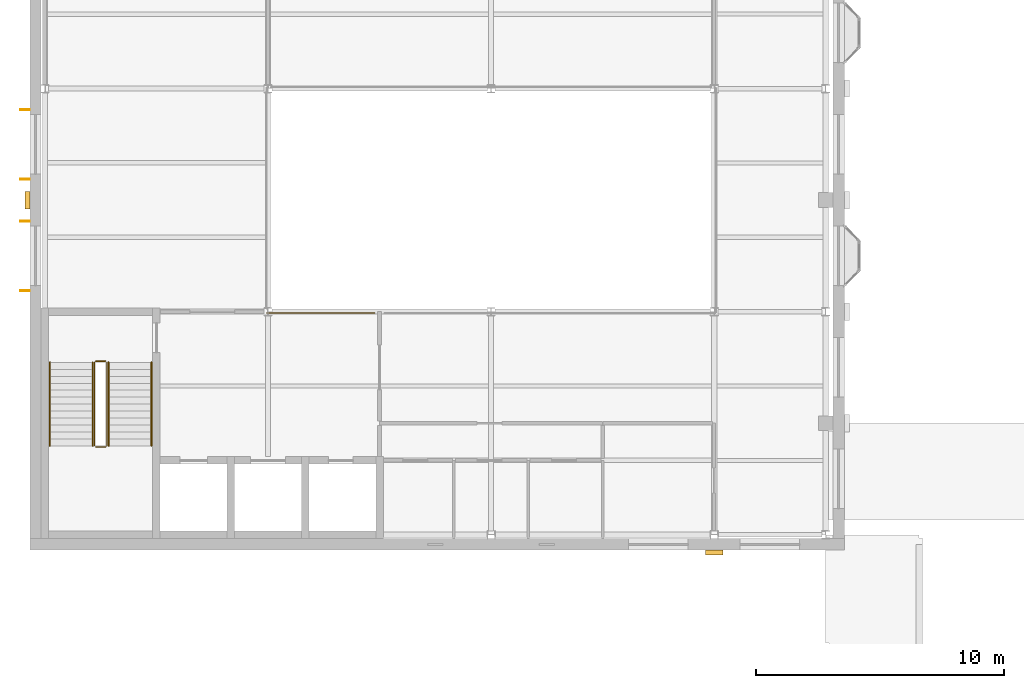
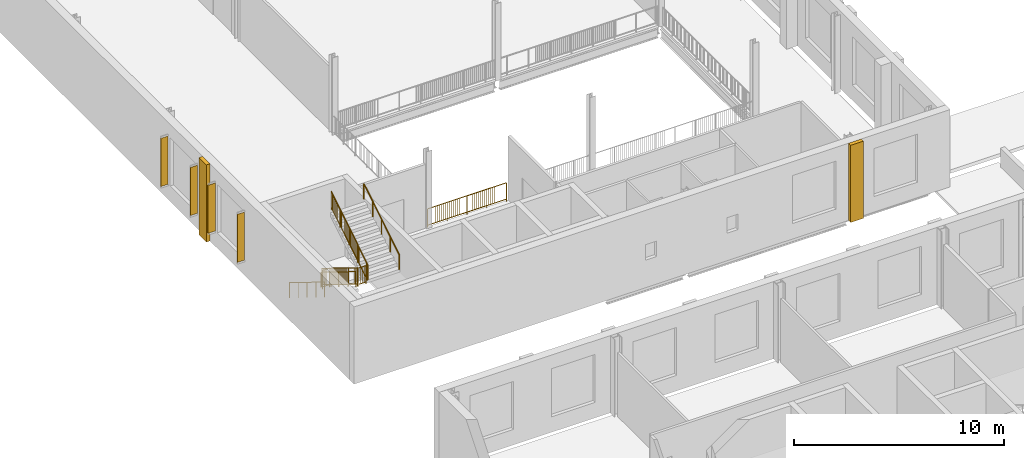
# One storey, part 64 of 74: 9 railings, 4 shading devices, 2 coverings.
"""IFC4 building model written with IfcOpenShell, lengths in metres."""

from ifc_helpers import new_model, si_unit, direction, frame, origin, origin_2d, place, context, subcontext, project, spatial, rectangle, circle, extrude, material, layer, layer_set, type_object, element, save


model = new_model("IFC4")

# Units and contexts
model_context = context("Model", 3, precision=1e-05, world=origin(), true_north=direction((0.0, 1.0)))
body_context = subcontext(model_context, "Body", "Model", "MODEL_VIEW")
ifc_project = project(units=[si_unit("LENGTHUNIT", "METRE"), si_unit("AREAUNIT", "SQUARE_METRE"), si_unit("VOLUMEUNIT", "CUBIC_METRE"), si_unit("PLANEANGLEUNIT", "RADIAN"), si_unit("MASSUNIT", "GRAM", prefix="KILO")], contexts=[model_context])

# Site, building, storey
site_placement = place(None, origin())
site = spatial("IfcSite", under=ifc_project, at=site_placement, CompositionType="ELEMENT")
building_placement = place(site_placement, origin())
building = spatial("IfcBuilding", under=site, at=building_placement, Name="Hortulan Conservatory and Botanical Research Centre", CompositionType="ELEMENT")
storey_placement = place(building_placement, frame((0.0, 0.0, 6.0)))
storey = spatial("IfcBuildingStorey", under=building, at=storey_placement, Name="L01", CompositionType="ELEMENT", Elevation=6.0)

# Railing
ifc_material_1 = material(Name="Wrought iron guard, bronze-charcoal paint", Category="metal")
railing_type_1 = type_object("IfcRailingType", Name="Ironwork Void Guard 1100", PredefinedType="GUARDRAIL", material=ifc_material_1)
railing_1_placement = place(storey_placement, frame((13.304931640625, 44.93994140625, 0.0)))
element("IfcRailing", 1, at=railing_1_placement, inside=storey, type_object=railing_type_1, Name="Guard L01 Winter Garden 2", PredefinedType="GUARDRAIL", context=body_context, shape_type="SweptSolid", body=[
    extrude(circle(Radius=0.02392578125, at=origin_2d()), frame((0.0, 0.0, 1.076171875), z_axis=(-1.0, 0.0, 0.0), x_axis=(0.0, -1.0, 0.0)), (0.0, 0.0, 1.0), 4.349365234375),
    extrude(circle(Radius=0.02392578125, at=origin_2d()), frame((0.0, 0.0, 0.1240234375), z_axis=(-1.0, 0.0, 0.0), x_axis=(0.0, -1.0, 0.0)), (0.0, 0.0, 1.0), 4.349365234375),
    extrude(circle(Radius=0.008056640625, at=origin_2d()), frame((-0.108642578125, 0.0, 0.148193359375)), (0.0, 0.0, 1.0), 0.90380859375),
    extrude(circle(Radius=0.008056640625, at=origin_2d()), frame((-0.217529296875, 0.0, 0.148193359375)), (0.0, 0.0, 1.0), 0.90380859375),
    extrude(circle(Radius=0.008056640625, at=origin_2d()), frame((-0.326171875, 0.0, 0.148193359375)), (0.0, 0.0, 1.0), 0.90380859375),
    extrude(circle(Radius=0.008056640625, at=origin_2d()), frame((-0.43505859375, 0.0, 0.148193359375)), (0.0, 0.0, 1.0), 0.90380859375),
    extrude(circle(Radius=0.008056640625, at=origin_2d()), frame((-0.543701171875, 0.0, 0.148193359375)), (0.0, 0.0, 1.0), 0.90380859375),
    extrude(circle(Radius=0.008056640625, at=origin_2d()), frame((-0.65234375, 0.0, 0.148193359375)), (0.0, 0.0, 1.0), 0.90380859375),
    extrude(circle(Radius=0.008056640625, at=origin_2d()), frame((-0.76123046875, 0.0, 0.148193359375)), (0.0, 0.0, 1.0), 0.90380859375),
    extrude(circle(Radius=0.008056640625, at=origin_2d()), frame((-0.869873046875, 0.0, 0.148193359375)), (0.0, 0.0, 1.0), 0.90380859375),
    extrude(circle(Radius=0.008056640625, at=origin_2d()), frame((-0.978515625, 0.0, 0.148193359375)), (0.0, 0.0, 1.0), 0.90380859375),
    extrude(circle(Radius=0.008056640625, at=origin_2d()), frame((-1.08740234375, 0.0, 0.148193359375)), (0.0, 0.0, 1.0), 0.90380859375),
    extrude(circle(Radius=0.008056640625, at=origin_2d()), frame((-1.196044921875, 0.0, 0.148193359375)), (0.0, 0.0, 1.0), 0.90380859375),
    extrude(circle(Radius=0.008056640625, at=origin_2d()), frame((-1.3046875, 0.0, 0.148193359375)), (0.0, 0.0, 1.0), 0.90380859375),
    extrude(circle(Radius=0.008056640625, at=origin_2d()), frame((-1.41357421875, 0.0, 0.148193359375)), (0.0, 0.0, 1.0), 0.90380859375),
    extrude(circle(Radius=0.008056640625, at=origin_2d()), frame((-1.522216796875, 0.0, 0.148193359375)), (0.0, 0.0, 1.0), 0.90380859375),
    extrude(circle(Radius=0.008056640625, at=origin_2d()), frame((-1.631103515625, 0.0, 0.148193359375)), (0.0, 0.0, 1.0), 0.90380859375),
    extrude(circle(Radius=0.008056640625, at=origin_2d()), frame((-1.73974609375, 0.0, 0.148193359375)), (0.0, 0.0, 1.0), 0.90380859375),
    extrude(circle(Radius=0.008056640625, at=origin_2d()), frame((-1.848388671875, 0.0, 0.148193359375)), (0.0, 0.0, 1.0), 0.90380859375),
    extrude(circle(Radius=0.008056640625, at=origin_2d()), frame((-1.957275390625, 0.0, 0.148193359375)), (0.0, 0.0, 1.0), 0.90380859375),
    extrude(circle(Radius=0.008056640625, at=origin_2d()), frame((-2.06591796875, 0.0, 0.148193359375)), (0.0, 0.0, 1.0), 0.90380859375),
    extrude(circle(Radius=0.008056640625, at=origin_2d()), frame((-2.1748046875, 0.0, 0.148193359375)), (0.0, 0.0, 1.0), 0.90380859375),
    extrude(circle(Radius=0.008056640625, at=origin_2d()), frame((-2.283447265625, 0.0, 0.148193359375)), (0.0, 0.0, 1.0), 0.90380859375),
    extrude(circle(Radius=0.008056640625, at=origin_2d()), frame((-2.39208984375, 0.0, 0.148193359375)), (0.0, 0.0, 1.0), 0.90380859375),
    extrude(circle(Radius=0.008056640625, at=origin_2d()), frame((-2.5009765625, 0.0, 0.148193359375)), (0.0, 0.0, 1.0), 0.90380859375),
    extrude(circle(Radius=0.008056640625, at=origin_2d()), frame((-2.609619140625, 0.0, 0.148193359375)), (0.0, 0.0, 1.0), 0.90380859375),
    extrude(circle(Radius=0.008056640625, at=origin_2d()), frame((-2.71826171875, 0.0, 0.148193359375)), (0.0, 0.0, 1.0), 0.90380859375),
    extrude(circle(Radius=0.008056640625, at=origin_2d()), frame((-2.8271484375, 0.0, 0.148193359375)), (0.0, 0.0, 1.0), 0.90380859375),
    extrude(circle(Radius=0.008056640625, at=origin_2d()), frame((-2.935791015625, 0.0, 0.148193359375)), (0.0, 0.0, 1.0), 0.90380859375),
    extrude(circle(Radius=0.008056640625, at=origin_2d()), frame((-3.04443359375, 0.0, 0.148193359375)), (0.0, 0.0, 1.0), 0.90380859375),
    extrude(circle(Radius=0.008056640625, at=origin_2d()), frame((-3.1533203125, 0.0, 0.148193359375)), (0.0, 0.0, 1.0), 0.90380859375),
    extrude(circle(Radius=0.008056640625, at=origin_2d()), frame((-3.261962890625, 0.0, 0.148193359375)), (0.0, 0.0, 1.0), 0.90380859375),
    extrude(circle(Radius=0.008056640625, at=origin_2d()), frame((-3.370849609375, 0.0, 0.148193359375)), (0.0, 0.0, 1.0), 0.90380859375),
    extrude(circle(Radius=0.008056640625, at=origin_2d()), frame((-3.4794921875, 0.0, 0.148193359375)), (0.0, 0.0, 1.0), 0.90380859375),
    extrude(circle(Radius=0.008056640625, at=origin_2d()), frame((-3.588134765625, 0.0, 0.148193359375)), (0.0, 0.0, 1.0), 0.90380859375),
    extrude(circle(Radius=0.008056640625, at=origin_2d()), frame((-3.697021484375, 0.0, 0.148193359375)), (0.0, 0.0, 1.0), 0.90380859375),
    extrude(circle(Radius=0.008056640625, at=origin_2d()), frame((-3.8056640625, 0.0, 0.148193359375)), (0.0, 0.0, 1.0), 0.90380859375),
    extrude(circle(Radius=0.008056640625, at=origin_2d()), frame((-3.91455078125, 0.0, 0.148193359375)), (0.0, 0.0, 1.0), 0.90380859375),
    extrude(circle(Radius=0.008056640625, at=origin_2d()), frame((-4.023193359375, 0.0, 0.148193359375)), (0.0, 0.0, 1.0), 0.90380859375),
    extrude(circle(Radius=0.008056640625, at=origin_2d()), frame((-4.1318359375, 0.0, 0.148193359375)), (0.0, 0.0, 1.0), 0.90380859375),
    extrude(circle(Radius=0.008056640625, at=origin_2d()), frame((-4.24072265625, 0.0, 0.148193359375)), (0.0, 0.0, 1.0), 0.90380859375),
    extrude(circle(Radius=0.02099609375, at=origin_2d()), origin(), (0.0, 0.0, 1.0), 1.052001953125),
    extrude(circle(Radius=0.02099609375, at=origin_2d()), frame((-1.08740234375, 0.0, 0.0)), (0.0, 0.0, 1.0), 1.052001953125),
    extrude(circle(Radius=0.02099609375, at=origin_2d()), frame((-2.1748046875, 0.0, 0.0)), (0.0, 0.0, 1.0), 1.052001953125),
    extrude(circle(Radius=0.02099609375, at=origin_2d()), frame((-3.261962890625, 0.0, 0.0)), (0.0, 0.0, 1.0), 1.052001953125),
    extrude(circle(Radius=0.02099609375, at=origin_2d()), frame((-4.349365234375, 0.0, 0.0)), (0.0, 0.0, 1.0), 1.052001953125),
])

# Shading devices
ifc_material_2 = material(Name="Bronze-finished perforated aluminium", Category="aluminium")
ifc_layer_1 = layer(ifc_material_2, 0.0400390625)
ifc_layer_set_1 = layer_set([ifc_layer_1], Name="Perforated Fin 400x40")
shading_device_type = type_object("IfcShadingDeviceType", Name="Perforated Fin 400x40", PredefinedType="USERDEFINED", material=ifc_layer_set_1)
for number, where, z_axis, x_axis, name in (
    (2, (-0.804443359375, 45.85009765625, 0.89990234375), (0.0, 0.0, 1.0), (0.0, 1.0, 0.0), "Perforated fin"),
    (3, (-0.804443359375, 48.64990234375, 0.89990234375), (0.0, 0.0, 1.0), (0.0, 1.0, 0.0), "Perforated fin"),
    (4, (-0.804443359375, 50.35009765625, 0.89990234375), (0.0, 0.0, 1.0), (0.0, 1.0, 0.0), "Perforated fin"),
    (5, (-0.804443359375, 53.14990234375, 0.89990234375), (0.0, 0.0, 1.0), (0.0, 1.0, 0.0), "Perforated fin"),
):
    element("IfcShadingDevice", number, at=place(storey_placement, frame(where, z_axis=z_axis, x_axis=x_axis)), inside=storey, type_object=shading_device_type, Name=name, ObjectType="Perforated fin", PredefinedType="USERDEFINED", context=body_context, shape_type="SweptSolid", body=[
        extrude(rectangle(XDim=0.0400390625, YDim=0.39990234375, at=origin_2d()), origin(), (0.0, 0.0, 1.0), 2.800048828125),
    ])

# Coverings
ifc_material_3 = material(Name="Sandstone masonry (Hawkesbury yellow block)", Category="masonry")
ifc_layer_2 = layer(ifc_material_3, 0.199951171875)
ifc_layer_set_2 = layer_set([ifc_layer_2], Name="Sandstone Pilaster 700x200")
covering_type = type_object("IfcCoveringType", Name="Sandstone Pilaster 700x200", PredefinedType="CLADDING", material=ifc_layer_set_2)
for number, where, z_axis, x_axis, name in (
    (6, (27.0, 35.28955078125, 0.0), (0.0, 0.0, 1.0), (-1.0, 0.0, 0.0), "Pier"),
    (7, (-0.70458984375, 49.5, 0.0), (0.0, 0.0, 1.0), (0.0, 1.0, 0.0), "Pier"),
):
    element("IfcCovering", number, at=place(storey_placement, frame(where, z_axis=z_axis, x_axis=x_axis)), inside=storey, type_object=covering_type, Name=name, PredefinedType="CLADDING", context=body_context, shape_type="SweptSolid", body=[
        extrude(rectangle(XDim=0.699951171875, YDim=0.199951171875, at=origin_2d()), origin(), (0.0, 0.0, 1.0), 4.5),
    ])

# Railings
ifc_material_4 = material(Name="Steel balustrade, bronze-charcoal paint", Category="steel")
railing_type_2 = type_object("IfcRailingType", Name="Stair Guard 1100", PredefinedType="GUARDRAIL", material=ifc_material_4)
railing_2_placement = place(storey_placement, frame((2.0, 42.949951171875, 0.173095703125)))
element("IfcRailing", 8, at=railing_2_placement, inside=storey, type_object=railing_type_2, Name="Guard V1 L01 stair 1", PredefinedType="GUARDRAIL", context=body_context, shape_type="SweptSolid", body=[
    extrude(circle(Radius=0.02392578125, at=origin_2d()), frame((0.0, 0.0, 1.076171875), z_axis=(0.0, -0.850606129759, 0.525803396734), x_axis=(1.0, 0.0, 0.0)), (0.0, 0.0, 1.0), 3.949951171875),
    extrude(circle(Radius=0.02392578125, at=origin_2d()), frame((0.0, 0.0, 0.1240234375), z_axis=(0.0, -0.850606129759, 0.525803396734), x_axis=(1.0, 0.0, 0.0)), (0.0, 0.0, 1.0), 3.949951171875),
    extrude(circle(Radius=0.008056640625, at=origin_2d()), frame((0.0, -0.09326171875, 0.205810546875)), (0.0, 0.0, 1.0), 0.90380859375),
    extrude(circle(Radius=0.008056640625, at=origin_2d()), frame((0.0, -0.186767578125, 0.263671875)), (0.0, 0.0, 1.0), 0.90380859375),
    extrude(circle(Radius=0.008056640625, at=origin_2d()), frame((0.0, -0.280029296875, 0.3212890625)), (0.0, 0.0, 1.0), 0.90380859375),
    extrude(circle(Radius=0.008056640625, at=origin_2d()), frame((0.0, -0.373291015625, 0.37890625)), (0.0, 0.0, 1.0), 0.90380859375),
    extrude(circle(Radius=0.008056640625, at=origin_2d()), frame((0.0, -0.466552734375, 0.436767578125)), (0.0, 0.0, 1.0), 0.90380859375),
    extrude(circle(Radius=0.008056640625, at=origin_2d()), frame((0.0, -0.56005859375, 0.494384765625)), (0.0, 0.0, 1.0), 0.90380859375),
    extrude(circle(Radius=0.008056640625, at=origin_2d()), frame((0.0, -0.6533203125, 0.552001953125)), (0.0, 0.0, 1.0), 0.90380859375),
    extrude(circle(Radius=0.008056640625, at=origin_2d()), frame((0.0, -0.74658203125, 0.609619140625)), (0.0, 0.0, 1.0), 0.90380859375),
    extrude(circle(Radius=0.008056640625, at=origin_2d()), frame((0.0, -0.83984375, 0.66748046875)), (0.0, 0.0, 1.0), 0.90380859375),
    extrude(circle(Radius=0.008056640625, at=origin_2d()), frame((0.0, -0.933349609375, 0.72509765625)), (0.0, 0.0, 1.0), 0.90380859375),
    extrude(circle(Radius=0.008056640625, at=origin_2d()), frame((0.0, -1.026611328125, 0.78271484375)), (0.0, 0.0, 1.0), 0.90380859375),
    extrude(circle(Radius=0.008056640625, at=origin_2d()), frame((0.0, -1.119873046875, 0.840576171875)), (0.0, 0.0, 1.0), 0.90380859375),
    extrude(circle(Radius=0.008056640625, at=origin_2d()), frame((0.0, -1.21337890625, 0.898193359375)), (0.0, 0.0, 1.0), 0.90380859375),
    extrude(circle(Radius=0.008056640625, at=origin_2d()), frame((0.0, -1.306640625, 0.955810546875)), (0.0, 0.0, 1.0), 0.90380859375),
    extrude(circle(Radius=0.008056640625, at=origin_2d()), frame((0.0, -1.39990234375, 1.013671875)), (0.0, 0.0, 1.0), 0.90380859375),
    extrude(circle(Radius=0.008056640625, at=origin_2d()), frame((0.0, -1.4931640625, 1.0712890625)), (0.0, 0.0, 1.0), 0.90380859375),
    extrude(circle(Radius=0.008056640625, at=origin_2d()), frame((0.0, -1.586669921875, 1.12890625)), (0.0, 0.0, 1.0), 0.90380859375),
    extrude(circle(Radius=0.008056640625, at=origin_2d()), frame((0.0, -1.679931640625, 1.1865234375)), (0.0, 0.0, 1.0), 0.90380859375),
    extrude(circle(Radius=0.008056640625, at=origin_2d()), frame((0.0, -1.773193359375, 1.244384765625)), (0.0, 0.0, 1.0), 0.90380859375),
    extrude(circle(Radius=0.008056640625, at=origin_2d()), frame((0.0, -1.86669921875, 1.302001953125)), (0.0, 0.0, 1.0), 0.90380859375),
    extrude(circle(Radius=0.008056640625, at=origin_2d()), frame((0.0, -1.9599609375, 1.359619140625)), (0.0, 0.0, 1.0), 0.90380859375),
    extrude(circle(Radius=0.008056640625, at=origin_2d()), frame((0.0, -2.05322265625, 1.41748046875)), (0.0, 0.0, 1.0), 0.90380859375),
    extrude(circle(Radius=0.008056640625, at=origin_2d()), frame((0.0, -2.146484375, 1.47509765625)), (0.0, 0.0, 1.0), 0.90380859375),
    extrude(circle(Radius=0.008056640625, at=origin_2d()), frame((0.0, -2.239990234375, 1.53271484375)), (0.0, 0.0, 1.0), 0.90380859375),
    extrude(circle(Radius=0.008056640625, at=origin_2d()), frame((0.0, -2.333251953125, 1.590576171875)), (0.0, 0.0, 1.0), 0.90380859375),
    extrude(circle(Radius=0.008056640625, at=origin_2d()), frame((0.0, -2.426513671875, 1.648193359375)), (0.0, 0.0, 1.0), 0.90380859375),
    extrude(circle(Radius=0.008056640625, at=origin_2d()), frame((0.0, -2.52001953125, 1.705810546875)), (0.0, 0.0, 1.0), 0.90380859375),
    extrude(circle(Radius=0.008056640625, at=origin_2d()), frame((0.0, -2.61328125, 1.763671875)), (0.0, 0.0, 1.0), 0.90380859375),
    extrude(circle(Radius=0.008056640625, at=origin_2d()), frame((0.0, -2.70654296875, 1.8212890625)), (0.0, 0.0, 1.0), 0.90380859375),
    extrude(circle(Radius=0.008056640625, at=origin_2d()), frame((0.0, -2.7998046875, 1.87890625)), (0.0, 0.0, 1.0), 0.90380859375),
    extrude(circle(Radius=0.008056640625, at=origin_2d()), frame((0.0, -2.893310546875, 1.9365234375)), (0.0, 0.0, 1.0), 0.90380859375),
    extrude(circle(Radius=0.008056640625, at=origin_2d()), frame((0.0, -2.986572265625, 1.994384765625)), (0.0, 0.0, 1.0), 0.90380859375),
    extrude(circle(Radius=0.008056640625, at=origin_2d()), frame((0.0, -3.079833984375, 2.052001953125)), (0.0, 0.0, 1.0), 0.90380859375),
    extrude(circle(Radius=0.008056640625, at=origin_2d()), frame((0.0, -3.173095703125, 2.109619140625)), (0.0, 0.0, 1.0), 0.90380859375),
    extrude(circle(Radius=0.008056640625, at=origin_2d()), frame((0.0, -3.2666015625, 2.16748046875)), (0.0, 0.0, 1.0), 0.90380859375),
    extrude(circle(Radius=0.02099609375, at=origin_2d()), origin(), (0.0, 0.0, 1.0), 1.052001953125),
    extrude(circle(Radius=0.02099609375, at=origin_2d()), frame((0.0, -0.83984375, 0.519287109375)), (0.0, 0.0, 1.0), 1.052001953125),
    extrude(circle(Radius=0.02099609375, at=origin_2d()), frame((0.0, -1.679931640625, 1.03857421875)), (0.0, 0.0, 1.0), 1.052001953125),
    extrude(circle(Radius=0.02099609375, at=origin_2d()), frame((0.0, -2.52001953125, 1.5576171875)), (0.0, 0.0, 1.0), 1.052001953125),
    extrude(circle(Radius=0.02099609375, at=origin_2d()), frame((0.0, -3.35986328125, 2.076904296875)), (0.0, 0.0, 1.0), 1.052001953125),
])
railing_3_placement = place(storey_placement, frame((2.050048828125, 39.5400390625, 2.25)))
element("IfcRailing", 9, at=railing_3_placement, inside=storey, type_object=railing_type_2, Name="Guard V1 L01 stair 2", PredefinedType="GUARDRAIL", context=body_context, shape_type="SweptSolid", body=[
    extrude(circle(Radius=0.02392578125, at=origin_2d()), frame((0.0, 0.0, 1.076171875), z_axis=(1.0, 0.0, 0.0), x_axis=(0.0, 1.0, 0.0)), (0.0, 0.0, 1.0), 0.39990234375),
    extrude(circle(Radius=0.02392578125, at=origin_2d()), frame((0.0, 0.0, 0.1240234375), z_axis=(1.0, 0.0, 0.0), x_axis=(0.0, 1.0, 0.0)), (0.0, 0.0, 1.0), 0.39990234375),
    extrude(circle(Radius=0.008056640625, at=origin_2d()), frame((0.10009765625, 0.0, 0.148193359375)), (0.0, 0.0, 1.0), 0.90380859375),
    extrude(circle(Radius=0.008056640625, at=origin_2d()), frame((0.199951171875, 0.0, 0.148193359375)), (0.0, 0.0, 1.0), 0.90380859375),
    extrude(circle(Radius=0.008056640625, at=origin_2d()), frame((0.2998046875, 0.0, 0.148193359375)), (0.0, 0.0, 1.0), 0.90380859375),
    extrude(circle(Radius=0.02099609375, at=origin_2d()), origin(), (0.0, 0.0, 1.0), 1.052001953125),
    extrude(circle(Radius=0.02099609375, at=origin_2d()), frame((0.39990234375, 0.0, 0.0)), (0.0, 0.0, 1.0), 1.052001953125),
])
railing_4_placement = place(storey_placement, frame((2.5, 39.590087890625, 2.423095703125)))
element("IfcRailing", 10, at=railing_4_placement, inside=storey, type_object=railing_type_2, Name="Guard V1 L01 stair 3", PredefinedType="GUARDRAIL", context=body_context, shape_type="SweptSolid", body=[
    extrude(circle(Radius=0.02392578125, at=origin_2d()), frame((0.0, 0.0, 1.076171875), z_axis=(0.0, 0.850606129759, 0.525803396734), x_axis=(-1.0, 0.0, 0.0)), (0.0, 0.0, 1.0), 3.949951171875),
    extrude(circle(Radius=0.02392578125, at=origin_2d()), frame((0.0, 0.0, 0.1240234375), z_axis=(0.0, 0.850606129759, 0.525803396734), x_axis=(-1.0, 0.0, 0.0)), (0.0, 0.0, 1.0), 3.949951171875),
    extrude(circle(Radius=0.008056640625, at=origin_2d()), frame((0.0, 0.09326171875, 0.205810546875)), (0.0, 0.0, 1.0), 0.90380859375),
    extrude(circle(Radius=0.008056640625, at=origin_2d()), frame((0.0, 0.186767578125, 0.263671875)), (0.0, 0.0, 1.0), 0.90380859375),
    extrude(circle(Radius=0.008056640625, at=origin_2d()), frame((0.0, 0.280029296875, 0.3212890625)), (0.0, 0.0, 1.0), 0.90380859375),
    extrude(circle(Radius=0.008056640625, at=origin_2d()), frame((0.0, 0.373291015625, 0.37890625)), (0.0, 0.0, 1.0), 0.90380859375),
    extrude(circle(Radius=0.008056640625, at=origin_2d()), frame((0.0, 0.466552734375, 0.436767578125)), (0.0, 0.0, 1.0), 0.90380859375),
    extrude(circle(Radius=0.008056640625, at=origin_2d()), frame((0.0, 0.56005859375, 0.494384765625)), (0.0, 0.0, 1.0), 0.90380859375),
    extrude(circle(Radius=0.008056640625, at=origin_2d()), frame((0.0, 0.6533203125, 0.552001953125)), (0.0, 0.0, 1.0), 0.90380859375),
    extrude(circle(Radius=0.008056640625, at=origin_2d()), frame((0.0, 0.74658203125, 0.609619140625)), (0.0, 0.0, 1.0), 0.90380859375),
    extrude(circle(Radius=0.008056640625, at=origin_2d()), frame((0.0, 0.83984375, 0.66748046875)), (0.0, 0.0, 1.0), 0.90380859375),
    extrude(circle(Radius=0.008056640625, at=origin_2d()), frame((0.0, 0.933349609375, 0.72509765625)), (0.0, 0.0, 1.0), 0.90380859375),
    extrude(circle(Radius=0.008056640625, at=origin_2d()), frame((0.0, 1.026611328125, 0.78271484375)), (0.0, 0.0, 1.0), 0.90380859375),
    extrude(circle(Radius=0.008056640625, at=origin_2d()), frame((0.0, 1.119873046875, 0.840576171875)), (0.0, 0.0, 1.0), 0.90380859375),
    extrude(circle(Radius=0.008056640625, at=origin_2d()), frame((0.0, 1.21337890625, 0.898193359375)), (0.0, 0.0, 1.0), 0.90380859375),
    extrude(circle(Radius=0.008056640625, at=origin_2d()), frame((0.0, 1.306640625, 0.955810546875)), (0.0, 0.0, 1.0), 0.90380859375),
    extrude(circle(Radius=0.008056640625, at=origin_2d()), frame((0.0, 1.39990234375, 1.013671875)), (0.0, 0.0, 1.0), 0.90380859375),
    extrude(circle(Radius=0.008056640625, at=origin_2d()), frame((0.0, 1.4931640625, 1.0712890625)), (0.0, 0.0, 1.0), 0.90380859375),
    extrude(circle(Radius=0.008056640625, at=origin_2d()), frame((0.0, 1.586669921875, 1.12890625)), (0.0, 0.0, 1.0), 0.90380859375),
    extrude(circle(Radius=0.008056640625, at=origin_2d()), frame((0.0, 1.679931640625, 1.1865234375)), (0.0, 0.0, 1.0), 0.90380859375),
    extrude(circle(Radius=0.008056640625, at=origin_2d()), frame((0.0, 1.773193359375, 1.244384765625)), (0.0, 0.0, 1.0), 0.90380859375),
    extrude(circle(Radius=0.008056640625, at=origin_2d()), frame((0.0, 1.86669921875, 1.302001953125)), (0.0, 0.0, 1.0), 0.90380859375),
    extrude(circle(Radius=0.008056640625, at=origin_2d()), frame((0.0, 1.9599609375, 1.359619140625)), (0.0, 0.0, 1.0), 0.90380859375),
    extrude(circle(Radius=0.008056640625, at=origin_2d()), frame((0.0, 2.05322265625, 1.41748046875)), (0.0, 0.0, 1.0), 0.90380859375),
    extrude(circle(Radius=0.008056640625, at=origin_2d()), frame((0.0, 2.146484375, 1.47509765625)), (0.0, 0.0, 1.0), 0.90380859375),
    extrude(circle(Radius=0.008056640625, at=origin_2d()), frame((0.0, 2.239990234375, 1.53271484375)), (0.0, 0.0, 1.0), 0.90380859375),
    extrude(circle(Radius=0.008056640625, at=origin_2d()), frame((0.0, 2.333251953125, 1.590576171875)), (0.0, 0.0, 1.0), 0.90380859375),
    extrude(circle(Radius=0.008056640625, at=origin_2d()), frame((0.0, 2.426513671875, 1.648193359375)), (0.0, 0.0, 1.0), 0.90380859375),
    extrude(circle(Radius=0.008056640625, at=origin_2d()), frame((0.0, 2.52001953125, 1.705810546875)), (0.0, 0.0, 1.0), 0.90380859375),
    extrude(circle(Radius=0.008056640625, at=origin_2d()), frame((0.0, 2.61328125, 1.763671875)), (0.0, 0.0, 1.0), 0.90380859375),
    extrude(circle(Radius=0.008056640625, at=origin_2d()), frame((0.0, 2.70654296875, 1.8212890625)), (0.0, 0.0, 1.0), 0.90380859375),
    extrude(circle(Radius=0.008056640625, at=origin_2d()), frame((0.0, 2.7998046875, 1.87890625)), (0.0, 0.0, 1.0), 0.90380859375),
    extrude(circle(Radius=0.008056640625, at=origin_2d()), frame((0.0, 2.893310546875, 1.9365234375)), (0.0, 0.0, 1.0), 0.90380859375),
    extrude(circle(Radius=0.008056640625, at=origin_2d()), frame((0.0, 2.986572265625, 1.994384765625)), (0.0, 0.0, 1.0), 0.90380859375),
    extrude(circle(Radius=0.008056640625, at=origin_2d()), frame((0.0, 3.079833984375, 2.052001953125)), (0.0, 0.0, 1.0), 0.90380859375),
    extrude(circle(Radius=0.008056640625, at=origin_2d()), frame((0.0, 3.173095703125, 2.109619140625)), (0.0, 0.0, 1.0), 0.90380859375),
    extrude(circle(Radius=0.008056640625, at=origin_2d()), frame((0.0, 3.2666015625, 2.16748046875)), (0.0, 0.0, 1.0), 0.90380859375),
    extrude(circle(Radius=0.02099609375, at=origin_2d()), origin(), (0.0, 0.0, 1.0), 1.052001953125),
    extrude(circle(Radius=0.02099609375, at=origin_2d()), frame((0.0, 0.83984375, 0.519287109375)), (0.0, 0.0, 1.0), 1.052001953125),
    extrude(circle(Radius=0.02099609375, at=origin_2d()), frame((0.0, 1.679931640625, 1.03857421875)), (0.0, 0.0, 1.0), 1.052001953125),
    extrude(circle(Radius=0.02099609375, at=origin_2d()), frame((0.0, 2.52001953125, 1.5576171875)), (0.0, 0.0, 1.0), 1.052001953125),
    extrude(circle(Radius=0.02099609375, at=origin_2d()), frame((0.0, 3.35986328125, 2.076904296875)), (0.0, 0.0, 1.0), 1.052001953125),
])
railing_5_placement = place(storey_placement, frame((2.050048828125, 43.0, 0.0)))
element("IfcRailing", 11, at=railing_5_placement, inside=storey, type_object=railing_type_2, Name="Guard V1 L01 stair 4", PredefinedType="GUARDRAIL", context=body_context, shape_type="SweptSolid", body=[
    extrude(circle(Radius=0.02392578125, at=origin_2d()), frame((0.0, 0.0, 1.076171875), z_axis=(1.0, 0.0, 0.0), x_axis=(0.0, 1.0, 0.0)), (0.0, 0.0, 1.0), 0.39990234375),
    extrude(circle(Radius=0.02392578125, at=origin_2d()), frame((0.0, 0.0, 0.1240234375), z_axis=(1.0, 0.0, 0.0), x_axis=(0.0, 1.0, 0.0)), (0.0, 0.0, 1.0), 0.39990234375),
    extrude(circle(Radius=0.008056640625, at=origin_2d()), frame((0.10009765625, 0.0, 0.148193359375)), (0.0, 0.0, 1.0), 0.90380859375),
    extrude(circle(Radius=0.008056640625, at=origin_2d()), frame((0.199951171875, 0.0, 0.148193359375)), (0.0, 0.0, 1.0), 0.90380859375),
    extrude(circle(Radius=0.008056640625, at=origin_2d()), frame((0.2998046875, 0.0, 0.148193359375)), (0.0, 0.0, 1.0), 0.90380859375),
    extrude(circle(Radius=0.02099609375, at=origin_2d()), origin(), (0.0, 0.0, 1.0), 1.052001953125),
    extrude(circle(Radius=0.02099609375, at=origin_2d()), frame((0.39990234375, 0.0, 0.0)), (0.0, 0.0, 1.0), 1.052001953125),
])
ifc_material_5 = material(Name="Bronze handrail, polished", Category="metal")
railing_type_3 = type_object("IfcRailingType", Name="Stair Handrail 900", PredefinedType="HANDRAIL", material=ifc_material_5)
railing_6_placement = place(storey_placement, frame((0.199951171875, 42.949951171875, 0.173095703125)))
element("IfcRailing", 12, at=railing_6_placement, inside=storey, type_object=railing_type_3, Name="Handrail V1 L01 stair 1", PredefinedType="HANDRAIL", context=body_context, shape_type="SweptSolid", body=[
    extrude(circle(Radius=0.02392578125, at=origin_2d()), frame((0.0, 0.0, 0.8759765625), z_axis=(0.0, -0.850606129759, 0.525803396734), x_axis=(1.0, 0.0, 0.0)), (0.0, 0.0, 1.0), 3.949951171875),
    extrude(circle(Radius=0.02099609375, at=origin_2d()), origin(), (0.0, 0.0, 1.0), 0.851806640625),
    extrude(circle(Radius=0.02099609375, at=origin_2d()), frame((0.0, -0.83984375, 0.519287109375)), (0.0, 0.0, 1.0), 0.851806640625),
    extrude(circle(Radius=0.02099609375, at=origin_2d()), frame((0.0, -1.679931640625, 1.03857421875)), (0.0, 0.0, 1.0), 0.851806640625),
    extrude(circle(Radius=0.02099609375, at=origin_2d()), frame((0.0, -2.52001953125, 1.5576171875)), (0.0, 0.0, 1.0), 0.851806640625),
    extrude(circle(Radius=0.02099609375, at=origin_2d()), frame((0.0, -3.35986328125, 2.076904296875)), (0.0, 0.0, 1.0), 0.851806640625),
])
railing_7_placement = place(storey_placement, frame((4.300048828125, 39.590087890625, 2.423095703125)))
element("IfcRailing", 13, at=railing_7_placement, inside=storey, type_object=railing_type_3, Name="Handrail V1 L01 stair 2", PredefinedType="HANDRAIL", context=body_context, shape_type="SweptSolid", body=[
    extrude(circle(Radius=0.02392578125, at=origin_2d()), frame((0.0, 0.0, 0.8759765625), z_axis=(0.0, 0.850606129759, 0.525803396734), x_axis=(-1.0, 0.0, 0.0)), (0.0, 0.0, 1.0), 3.949951171875),
    extrude(circle(Radius=0.02099609375, at=origin_2d()), origin(), (0.0, 0.0, 1.0), 0.851806640625),
    extrude(circle(Radius=0.02099609375, at=origin_2d()), frame((0.0, 0.83984375, 0.519287109375)), (0.0, 0.0, 1.0), 0.851806640625),
    extrude(circle(Radius=0.02099609375, at=origin_2d()), frame((0.0, 1.679931640625, 1.03857421875)), (0.0, 0.0, 1.0), 0.851806640625),
    extrude(circle(Radius=0.02099609375, at=origin_2d()), frame((0.0, 2.52001953125, 1.5576171875)), (0.0, 0.0, 1.0), 0.851806640625),
    extrude(circle(Radius=0.02099609375, at=origin_2d()), frame((0.0, 3.35986328125, 2.076904296875)), (0.0, 0.0, 1.0), 0.851806640625),
])
railing_8_placement = place(storey_placement, frame((1.929931640625, 42.949951171875, 0.173095703125)))
element("IfcRailing", 14, at=railing_8_placement, inside=storey, type_object=railing_type_3, Name="Handrail V1 L01 stair 3", PredefinedType="HANDRAIL", context=body_context, shape_type="SweptSolid", body=[
    extrude(circle(Radius=0.02392578125, at=origin_2d()), frame((0.0, 0.0, 0.8759765625), z_axis=(0.0, -0.850606129759, 0.525803396734), x_axis=(1.0, 0.0, 0.0)), (0.0, 0.0, 1.0), 3.949951171875),
    extrude(circle(Radius=0.02099609375, at=origin_2d()), origin(), (0.0, 0.0, 1.0), 0.851806640625),
    extrude(circle(Radius=0.02099609375, at=origin_2d()), frame((0.0, -0.83984375, 0.519287109375)), (0.0, 0.0, 1.0), 0.851806640625),
    extrude(circle(Radius=0.02099609375, at=origin_2d()), frame((0.0, -1.679931640625, 1.03857421875)), (0.0, 0.0, 1.0), 0.851806640625),
    extrude(circle(Radius=0.02099609375, at=origin_2d()), frame((0.0, -2.52001953125, 1.5576171875)), (0.0, 0.0, 1.0), 0.851806640625),
    extrude(circle(Radius=0.02099609375, at=origin_2d()), frame((0.0, -3.35986328125, 2.076904296875)), (0.0, 0.0, 1.0), 0.851806640625),
])
railing_9_placement = place(storey_placement, frame((2.570068359375, 39.590087890625, 2.423095703125)))
element("IfcRailing", 15, at=railing_9_placement, inside=storey, type_object=railing_type_3, Name="Handrail V1 L01 stair 4", PredefinedType="HANDRAIL", context=body_context, shape_type="SweptSolid", body=[
    extrude(circle(Radius=0.02392578125, at=origin_2d()), frame((0.0, 0.0, 0.8759765625), z_axis=(0.0, 0.850606129759, 0.525803396734), x_axis=(-1.0, 0.0, 0.0)), (0.0, 0.0, 1.0), 3.949951171875),
    extrude(circle(Radius=0.02099609375, at=origin_2d()), origin(), (0.0, 0.0, 1.0), 0.851806640625),
    extrude(circle(Radius=0.02099609375, at=origin_2d()), frame((0.0, 0.83984375, 0.519287109375)), (0.0, 0.0, 1.0), 0.851806640625),
    extrude(circle(Radius=0.02099609375, at=origin_2d()), frame((0.0, 1.679931640625, 1.03857421875)), (0.0, 0.0, 1.0), 0.851806640625),
    extrude(circle(Radius=0.02099609375, at=origin_2d()), frame((0.0, 2.52001953125, 1.5576171875)), (0.0, 0.0, 1.0), 0.851806640625),
    extrude(circle(Radius=0.02099609375, at=origin_2d()), frame((0.0, 3.35986328125, 2.076904296875)), (0.0, 0.0, 1.0), 0.851806640625),
])

save(model, "model.ifc")
